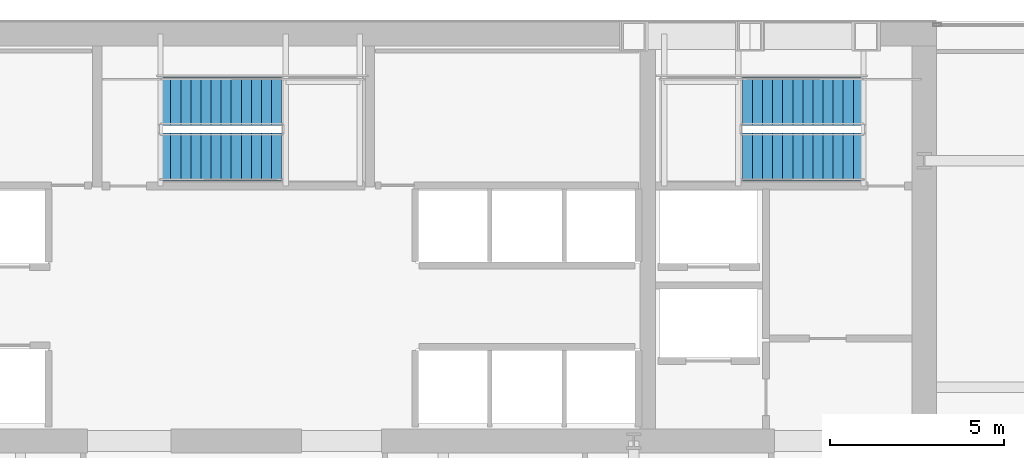
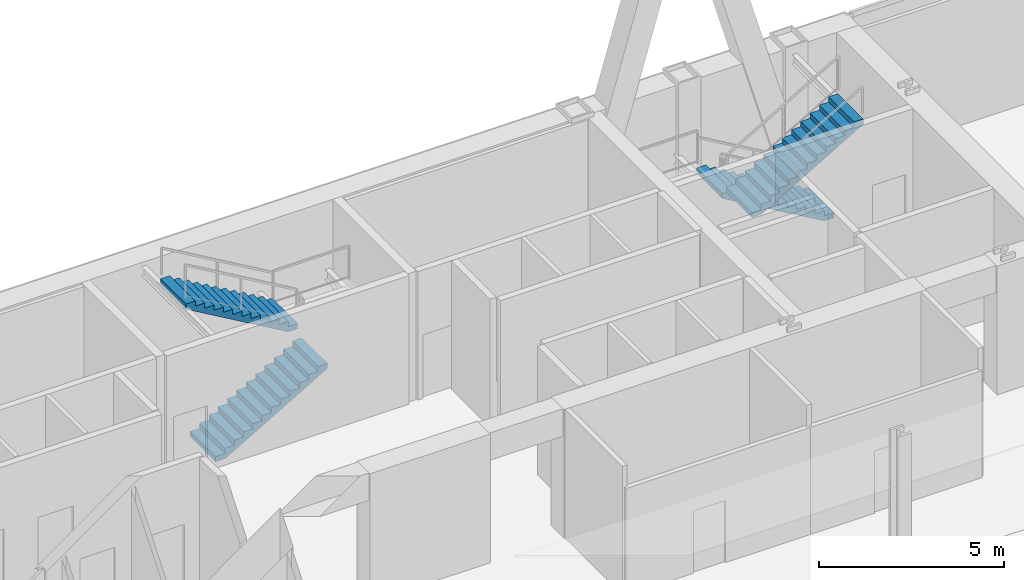
# One storey, part 30 of 32: 4 stair flights, 2 elements without a shape of their own.
"""IFC4 building model written with IfcOpenShell, lengths in metres."""

import ifcopenshell
import ifcopenshell.guid

model = None  # the IFC model being written
_history = None  # IfcOwnerHistory: only IFC2X3 demands one
_inside = {}  # id of a spatial element -> (the spatial element, [elements in it])
_under = {}  # id of a project, library or spatial element -> (it, [spatial elements below it])
_declared = {}  # id of a project -> (the project, [libraries it declares])
_typed = {}  # id of a type object -> (the type object, [elements of that type])
_made_of = {}  # id of a material, layer set ... -> (it, [elements and type objects made of it])


def new_model(schema):
    """Start an empty IFC model of exactly this schema.

    Asked for "IFC4X3", IfcOpenShell would pick the latest addendum, in which some entities
    have other attributes; the version numbers below select the first issue.
    IFC2X3 requires an IfcOwnerHistory on every rooted entity: one is made here for all.
    """
    global model, _history
    if schema == "IFC4X3":
        model = ifcopenshell.file(schema_version=(4, 3, 0, 0))
    else:
        model = ifcopenshell.file(schema=schema)
    _inside.clear()
    _under.clear()
    _declared.clear()
    _typed.clear()
    _made_of.clear()
    _history = None
    if model.schema == "IFC2X3":
        org = make("IfcOrganization", Name="unknown")
        user = make(
            "IfcPersonAndOrganization",
            ThePerson=make("IfcPerson", FamilyName="unknown"),
            TheOrganization=org,
        )
        app = make(
            "IfcApplication",
            ApplicationDeveloper=org,
            Version="unknown",
            ApplicationFullName="unknown",
            ApplicationIdentifier="unknown",
        )
        _history = make(
            "IfcOwnerHistory",
            OwningUser=user,
            OwningApplication=app,
            ChangeAction="ADDED",
            CreationDate=0,
        )
    return model


def make(cls, **values):
    """One entity of the class cls with the attributes given. An attribute that is None is left unset."""
    return model.create_entity(
        cls, **{name: value for name, value in values.items() if value is not None}
    )


def rooted(cls, **values):
    """An entity with a GlobalId (a new one), such as an element, a storey or a relation."""
    return make(cls, GlobalId=ifcopenshell.guid.new(), OwnerHistory=_history, **values)


def si_unit(unit_type, name, prefix=None):
    """IfcSIUnit, for example si_unit("LENGTHUNIT", "METRE", prefix="MILLI")."""
    return make("IfcSIUnit", UnitType=unit_type, Prefix=prefix, Name=name)


def assignment(units):
    """IfcUnitAssignment: the units of a project."""
    return None if units is None else make("IfcUnitAssignment", Units=units)


def point(xyz):
    """IfcCartesianPoint."""
    return None if xyz is None else make("IfcCartesianPoint", Coordinates=xyz)


def direction(xyz):
    """IfcDirection."""
    return None if xyz is None else make("IfcDirection", DirectionRatios=xyz)


def frame(location, z_axis=None, x_axis=None):
    """IfcAxis2Placement3D, a coordinate frame: its origin and axes. An axis left out is left unset."""
    return make(
        "IfcAxis2Placement3D",
        Location=point(location),
        Axis=direction(z_axis),
        RefDirection=direction(x_axis),
    )


def origin():
    """The frame at (0, 0, 0) with its axes left unset."""
    return frame((0.0, 0.0, 0.0))


def place(relative_to, where):
    """IfcLocalPlacement: puts the frame where relative to a parent placement (None: the world)."""
    return make(
        "IfcLocalPlacement", PlacementRelTo=relative_to, RelativePlacement=where
    )


def context(
    kind, dimensions, precision=None, world=None, true_north=None, identifier=None
):
    """IfcGeometricRepresentationContext, for example the 3D "Model" context."""
    return make(
        "IfcGeometricRepresentationContext",
        ContextIdentifier=identifier,
        ContextType=kind,
        CoordinateSpaceDimension=dimensions,
        Precision=precision,
        WorldCoordinateSystem=world,
        TrueNorth=true_north,
    )


def subcontext(parent, identifier, kind, view, scale=None):
    """IfcGeometricRepresentationSubContext, for example "Body" below "Model"."""
    return make(
        "IfcGeometricRepresentationSubContext",
        ContextIdentifier=identifier,
        ContextType=kind,
        ParentContext=parent,
        TargetScale=scale,
        TargetView=view,
    )


def project(units=None, contexts=None):
    """IfcProject with its units and contexts."""
    return rooted(
        "IfcProject",
        Name="project",
        RepresentationContexts=contexts,
        UnitsInContext=assignment(units),
    )


def spatial(cls, under=None, at=None, **own):
    """A site, building, storey or space (cls), placed at a placement, below another one or the project."""
    s = rooted(cls, ObjectPlacement=at, **own)
    if under is not None:
        _under.setdefault(under.id(), (under, []))[1].append(s)
    return s


def polyline(points):
    """IfcPolyline through the points."""
    return make("IfcPolyline", Points=[point(p) for p in points])


def outline(outer, holes=None, kind="AREA"):
    """IfcArbitraryClosedProfileDef: a profile drawn as a closed curve; with holes, ...WithVoids."""
    if holes is None:
        return make("IfcArbitraryClosedProfileDef", ProfileType=kind, OuterCurve=outer)
    return make(
        "IfcArbitraryProfileDefWithVoids",
        ProfileType=kind,
        OuterCurve=outer,
        InnerCurves=holes,
    )


def extrude(swept, where, along, depth):
    """IfcExtrudedAreaSolid: the profile swept, set in the frame where, extruded along a direction by depth."""
    return make(
        "IfcExtrudedAreaSolid",
        SweptArea=swept,
        Position=where,
        ExtrudedDirection=direction(along),
        Depth=depth,
    )


def shape(context_of_items, identifier, shape_type, items):
    """IfcShapeRepresentation: the items that make up one representation, for example the "Body"."""
    return make(
        "IfcShapeRepresentation",
        ContextOfItems=context_of_items,
        RepresentationIdentifier=identifier,
        RepresentationType=shape_type,
        Items=items,
    )


def material(Name=None, Category=None):
    """IfcMaterial."""
    return make("IfcMaterial", Name=Name, Category=Category)


def made_of(thing, what):
    """Note that an element or type object is made of a material, layer set ...; save() writes the relation."""
    if what is not None:
        _made_of.setdefault(what.id(), (what, []))[1].append(thing)
    return thing


def type_object(cls, material=None, **own):
    """A type object (cls), such as IfcWallType, which elements share."""
    return made_of(rooted(cls, **own), material)


def element(
    cls,
    number,
    at=None,
    inside=None,
    cuts=None,
    type_object=None,
    material=None,
    context=None,
    identifier="Body",
    shape_type=None,
    held_by="IfcProductDefinitionShape",
    body=None,
    shapes=None,
    **own,
):
    """One element of the class cls, such as IfcWall. Its Tag is "e" and its number.

    at: its placement. inside: the storey or other place that contains it. cuts: it is an
    opening in that element (IfcRelVoidsElement). A single representation is given by context,
    identifier, shape_type and body (its items); several are given by shapes. held_by: the class
    of the entity that holds the representations. save() writes the other relations.
    """
    e = rooted(cls, Tag="e%d" % number, ObjectPlacement=at, **own)
    if body is not None:
        shapes = [shape(context, identifier, shape_type, body)]
    if shapes is not None:
        e.Representation = make(held_by, Representations=shapes)
    if inside is not None:
        _inside.setdefault(inside.id(), (inside, []))[1].append(e)
    if cuts is not None:
        rooted(
            "IfcRelVoidsElement", RelatingBuildingElement=cuts, RelatedOpeningElement=e
        )
    if type_object is not None:
        _typed.setdefault(type_object.id(), (type_object, []))[1].append(e)
    return made_of(e, material)


def aggregate(whole, parts):
    """IfcRelAggregates: a whole, such as a stair, and the parts it consists of."""
    return rooted("IfcRelAggregates", RelatingObject=whole, RelatedObjects=parts)


def save(model, path):
    """Write the relations noted so far, then the file.

    IfcRelAggregates (storeys below a building ...), IfcRelContainedInSpatialStructure (elements
    in a storey), IfcRelDefinesByType, IfcRelAssociatesMaterial and IfcRelDeclares: one each for
    every whole, place, type object, material and project.
    """
    for whole, parts in _under.values():
        aggregate(whole, parts)
    for where, things in _inside.values():
        rooted(
            "IfcRelContainedInSpatialStructure",
            RelatedElements=things,
            RelatingStructure=where,
        )
    for kind, things in _typed.values():
        rooted("IfcRelDefinesByType", RelatedObjects=things, RelatingType=kind)
    for what, things in _made_of.values():
        rooted("IfcRelAssociatesMaterial", RelatedObjects=things, RelatingMaterial=what)
    for by, libraries in _declared.values():
        rooted("IfcRelDeclares", RelatingContext=by, RelatedDefinitions=libraries)
    model.write(path)


model = new_model("IFC4")

# Units and contexts
model_context = context("Model", 3, precision=1e-05, world=origin(), true_north=direction((0.0, 1.0)))
body_context = subcontext(model_context, "Body", "Model", "MODEL_VIEW")
ifc_project = project(units=[si_unit("LENGTHUNIT", "METRE"), si_unit("AREAUNIT", "SQUARE_METRE"), si_unit("VOLUMEUNIT", "CUBIC_METRE"), si_unit("PLANEANGLEUNIT", "RADIAN"), si_unit("MASSUNIT", "GRAM", prefix="KILO")], contexts=[model_context])

# Site, building, storey
site_placement = place(None, origin())
site = spatial("IfcSite", under=ifc_project, at=site_placement, CompositionType="ELEMENT")
building_placement = place(site_placement, origin())
building = spatial("IfcBuilding", under=site, at=building_placement, Name="Khoronbel Lancet Exchange", CompositionType="ELEMENT")
storey_placement = place(building_placement, frame((0.0, 0.0, 106.60009765625)))
storey = spatial("IfcBuildingStorey", under=building, at=storey_placement, Name="L25", CompositionType="ELEMENT", Elevation=106.60009765625)

# Stair, stair flights
ifc_material = material(Name="Concrete C40/50", Category="concrete")
stair_type = type_object("IfcStairType", Name="STR-CORE150", PredefinedType="HALF_TURN_STAIR", material=ifc_material)
stair_1_placement = place(storey_placement, origin())
stair_1 = element("IfcStair", 1, at=stair_1_placement, inside=storey, type_object=stair_type, Name="L25 Protected Exit Stair ST2", PredefinedType="HALF_TURN_STAIR")
stair_flight_type = type_object("IfcStairFlightType", Name="STF-150", PredefinedType="STRAIGHT", material=ifc_material)
stair_flight_1_placement = place(storey_placement, frame((54.60009765625, 51.409912109375, 0.0), z_axis=(0.0, 0.0, 1.0), x_axis=(-1.0, 0.0, 0.0)))
stair_flight_1 = element("IfcStairFlight", 2, at=stair_flight_1_placement, type_object=stair_flight_type, Name="ST2 flight 1", NumberOfRisers=13, NumberOfTreads=12, PredefinedType="STRAIGHT", RiserHeight=0.169230769, TreadLength=0.29, context=body_context, shape_type="SweptSolid", body=[
    extrude(outline(polyline([(0.0, 0.0), (0.0, 0.169189453125), (0.2900390625, 0.169189453125), (0.2900390625, 0.33837890625), (0.580078125, 0.33837890625), (0.580078125, 0.5078125), (0.8701171875, 0.5078125), (0.8701171875, 0.677001953125), (1.159912109375, 0.677001953125), (1.159912109375, 0.84619140625), (1.449951171875, 0.84619140625), (1.449951171875, 1.015380859375), (1.739990234375, 1.015380859375), (1.739990234375, 1.1845703125), (2.030029296875, 1.1845703125), (2.030029296875, 1.353759765625), (2.320068359375, 1.353759765625), (2.320068359375, 1.523193359375), (2.610107421875, 1.523193359375), (2.610107421875, 1.6923828125), (2.89990234375, 1.6923828125), (2.89990234375, 1.861572265625), (3.18994140625, 1.861572265625), (3.18994140625, 2.03076171875), (3.47998046875, 2.03076171875), (3.47998046875, 2.199951171875), (3.47998046875, 1.857177734375), (0.29736328125, 0.0), (0.0, 0.0)])), frame((0.0, 0.68994140625, 0.0), z_axis=(0.0, -1.0, 0.0), x_axis=(1.0, 0.0, 0.0)), (0.0, 0.0, 1.0), 1.3798828125),
])
stair_flight_2_placement = place(storey_placement, frame((51.1201171875, 49.81005859375, 2.199951171875), z_axis=(0.0, 0.0, 1.0), x_axis=(1.0, 0.0, 0.0)))
stair_flight_2 = element("IfcStairFlight", 3, at=stair_flight_2_placement, type_object=stair_flight_type, Name="ST2 flight 2", NumberOfRisers=13, NumberOfTreads=12, PredefinedType="STRAIGHT", RiserHeight=0.169230769, TreadLength=0.29, context=body_context, shape_type="SweptSolid", body=[
    extrude(outline(polyline([(0.0, 0.0), (0.0, 0.169189453125), (0.2900390625, 0.169189453125), (0.2900390625, 0.33837890625), (0.580078125, 0.33837890625), (0.580078125, 0.5078125), (0.8701171875, 0.5078125), (0.8701171875, 0.677001953125), (1.159912109375, 0.677001953125), (1.159912109375, 0.84619140625), (1.449951171875, 0.84619140625), (1.449951171875, 1.015380859375), (1.739990234375, 1.015380859375), (1.739990234375, 1.1845703125), (2.030029296875, 1.1845703125), (2.030029296875, 1.353759765625), (2.320068359375, 1.353759765625), (2.320068359375, 1.523193359375), (2.610107421875, 1.523193359375), (2.610107421875, 1.6923828125), (2.89990234375, 1.6923828125), (2.89990234375, 1.861572265625), (3.18994140625, 1.861572265625), (3.18994140625, 2.03076171875), (3.47998046875, 2.03076171875), (3.47998046875, 2.199951171875), (3.47998046875, 1.857177734375), (0.29736328125, 0.0), (0.0, 0.0)])), frame((0.0, 0.68994140625, 0.0), z_axis=(0.0, -1.0, 0.0), x_axis=(1.0, 0.0, 0.0)), (0.0, 0.0, 1.0), 1.3798828125),
])
aggregate(stair_1, [stair_flight_1, stair_flight_2])

stair_2_placement = place(storey_placement, origin())
stair_2 = element("IfcStair", 4, at=stair_2_placement, inside=storey, type_object=stair_type, Name="L25 Protected Exit Stair ST3", PredefinedType="HALF_TURN_STAIR")
stair_flight_3_placement = place(storey_placement, frame((34.39990234375, 49.81005859375, 0.0), z_axis=(0.0, 0.0, 1.0), x_axis=(1.0, 0.0, 0.0)))
stair_flight_3 = element("IfcStairFlight", 5, at=stair_flight_3_placement, type_object=stair_flight_type, Name="ST3 flight 1", NumberOfRisers=13, NumberOfTreads=12, PredefinedType="STRAIGHT", RiserHeight=0.169230769, TreadLength=0.29, context=body_context, shape_type="SweptSolid", body=[
    extrude(outline(polyline([(0.0, 0.0), (0.0, 0.169189453125), (0.2900390625, 0.169189453125), (0.2900390625, 0.33837890625), (0.580078125, 0.33837890625), (0.580078125, 0.5078125), (0.8701171875, 0.5078125), (0.8701171875, 0.677001953125), (1.159912109375, 0.677001953125), (1.159912109375, 0.84619140625), (1.449951171875, 0.84619140625), (1.449951171875, 1.015380859375), (1.739990234375, 1.015380859375), (1.739990234375, 1.1845703125), (2.030029296875, 1.1845703125), (2.030029296875, 1.353759765625), (2.320068359375, 1.353759765625), (2.320068359375, 1.523193359375), (2.610107421875, 1.523193359375), (2.610107421875, 1.6923828125), (2.89990234375, 1.6923828125), (2.89990234375, 1.861572265625), (3.18994140625, 1.861572265625), (3.18994140625, 2.03076171875), (3.47998046875, 2.03076171875), (3.47998046875, 2.199951171875), (3.47998046875, 1.857177734375), (0.29736328125, 0.0), (0.0, 0.0)])), frame((0.0, 0.68994140625, 0.0), z_axis=(0.0, -1.0, 0.0), x_axis=(1.0, 0.0, 0.0)), (0.0, 0.0, 1.0), 1.3798828125),
])
stair_flight_4_placement = place(storey_placement, frame((37.8798828125, 51.409912109375, 2.199951171875), z_axis=(0.0, 0.0, 1.0), x_axis=(-1.0, 0.0, 0.0)))
stair_flight_4 = element("IfcStairFlight", 6, at=stair_flight_4_placement, type_object=stair_flight_type, Name="ST3 flight 2", NumberOfRisers=13, NumberOfTreads=12, PredefinedType="STRAIGHT", RiserHeight=0.169230769, TreadLength=0.29, context=body_context, shape_type="SweptSolid", body=[
    extrude(outline(polyline([(0.0, 0.0), (0.0, 0.169189453125), (0.2900390625, 0.169189453125), (0.2900390625, 0.33837890625), (0.580078125, 0.33837890625), (0.580078125, 0.5078125), (0.8701171875, 0.5078125), (0.8701171875, 0.677001953125), (1.159912109375, 0.677001953125), (1.159912109375, 0.84619140625), (1.449951171875, 0.84619140625), (1.449951171875, 1.015380859375), (1.739990234375, 1.015380859375), (1.739990234375, 1.1845703125), (2.030029296875, 1.1845703125), (2.030029296875, 1.353759765625), (2.320068359375, 1.353759765625), (2.320068359375, 1.523193359375), (2.610107421875, 1.523193359375), (2.610107421875, 1.6923828125), (2.89990234375, 1.6923828125), (2.89990234375, 1.861572265625), (3.18994140625, 1.861572265625), (3.18994140625, 2.03076171875), (3.47998046875, 2.03076171875), (3.47998046875, 2.199951171875), (3.47998046875, 1.857177734375), (0.29736328125, 0.0), (0.0, 0.0)])), frame((0.0, 0.68994140625, 0.0), z_axis=(0.0, -1.0, 0.0), x_axis=(1.0, 0.0, 0.0)), (0.0, 0.0, 1.0), 1.3798828125),
])
aggregate(stair_2, [stair_flight_3, stair_flight_4])

save(model, "model.ifc")
